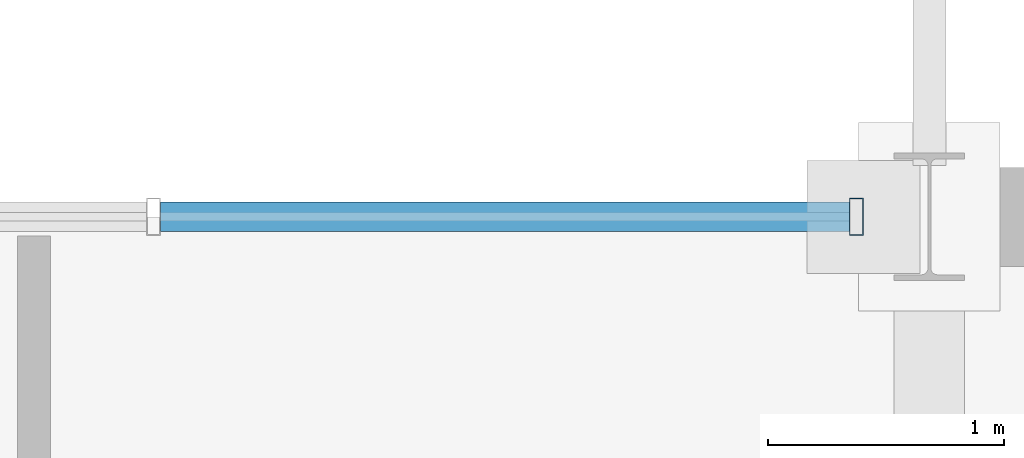
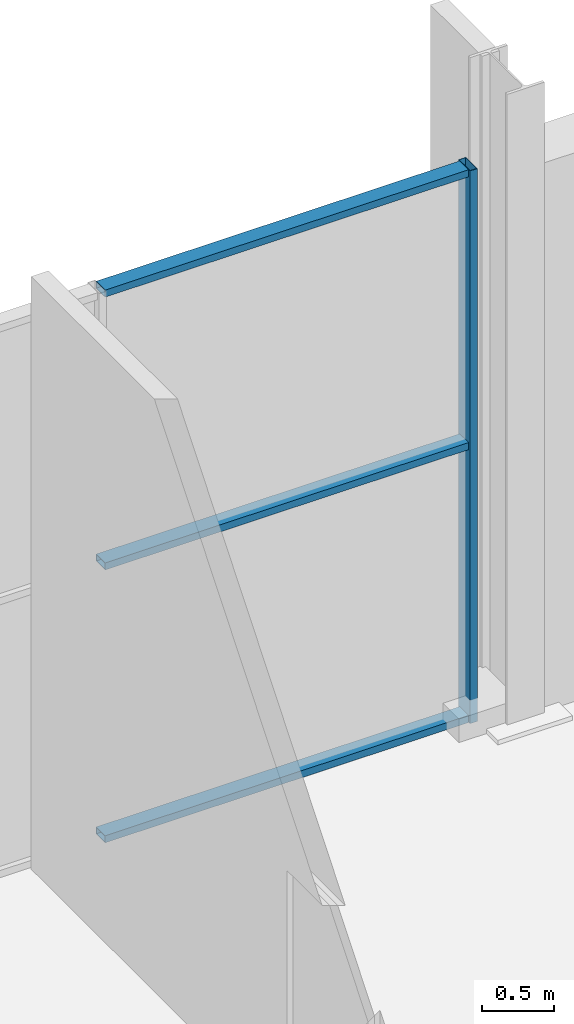
# One storey, part 113 of 196: 4 members, 1 element without a shape of its own.
"""IFC4 building model written with IfcOpenShell, lengths in metres."""

from ifc_helpers import new_model, si_unit, direction, frame, origin, origin_2d, place, context, subcontext, project, spatial, hollow_rectangle, extrude, material, material_profile, profile_set, type_object, element, aggregate, save


model = new_model("IFC4")

# Units and contexts
model_context = context("Model", 3, precision=1e-05, world=origin(), true_north=direction((0.0, 1.0)))
body_context = subcontext(model_context, "Body", "Model", "MODEL_VIEW")
ifc_project = project(units=[si_unit("LENGTHUNIT", "METRE"), si_unit("AREAUNIT", "SQUARE_METRE"), si_unit("VOLUMEUNIT", "CUBIC_METRE"), si_unit("PLANEANGLEUNIT", "RADIAN"), si_unit("MASSUNIT", "GRAM", prefix="KILO")], contexts=[model_context])

# Site, building, storey
site_placement = place(None, origin())
site = spatial("IfcSite", under=ifc_project, at=site_placement, CompositionType="ELEMENT")
building_placement = place(site_placement, origin())
building = spatial("IfcBuilding", under=site, at=building_placement, Name="Merenkruunu Market Hall", CompositionType="ELEMENT")
storey_placement = place(building_placement, origin())
storey = spatial("IfcBuildingStorey", under=building, at=storey_placement, Name="L00", CompositionType="ELEMENT", Elevation=0.0)

# Curtain wall, members
ifc_material = material(Name="Powder-coated aluminium", Category="aluminium")
curtain_wall_type = type_object("IfcCurtainWallType", Name="Glazed Curtain Wall CW01", PredefinedType="USERDEFINED", material=ifc_material)
curtain_wall_placement = place(storey_placement, origin())
curtain_wall = element("IfcCurtainWall", 1, at=curtain_wall_placement, inside=storey, type_object=curtain_wall_type, Name="CW-L00-CWM01-062", ObjectType="GLAZED_FACADE", PredefinedType="USERDEFINED")
ifc_material_profile_1 = material_profile(ifc_material, hollow_rectangle(XDim=0.06005859375, YDim=0.159912109375, WallThickness=0.00390625, at=origin_2d()), Name="ALU 60x160x4")
ifc_profile_set_1 = profile_set([ifc_material_profile_1], Name="Powder-coated aluminium")
member_type_1 = type_object("IfcMemberType", Name="Curtain Wall Mullion CWM01", PredefinedType="MULLION", material=ifc_profile_set_1)
member_1_placement = place(storey_placement, frame((47.68994140625, 111.60009765625, 0.0), z_axis=(0.0, 0.0, 1.0), x_axis=(1.0, 0.0, 0.0)))
member_1 = element("IfcMember", 2, at=member_1_placement, type_object=member_type_1, Name="CW01 mullion 4", PredefinedType="MULLION", context=body_context, shape_type="SweptSolid", body=[
    extrude(hollow_rectangle(XDim=0.06005859375, YDim=0.159912109375, WallThickness=0.00390625, at=origin_2d()), origin(), (0.0, 0.0, 1.0), 4.699951171875),
])
ifc_material_profile_2 = material_profile(ifc_material, hollow_rectangle(XDim=0.06005859375, YDim=0.125, WallThickness=0.00390625, at=origin_2d()), Name="ALU 60x125x4")
ifc_profile_set_2 = profile_set([ifc_material_profile_2], Name="Powder-coated aluminium")
member_type_2 = type_object("IfcMemberType", Name="Curtain Wall Transom CWT01", PredefinedType="USERDEFINED", material=ifc_profile_set_2)
member_2_placement = place(storey_placement, frame((44.736572265625, 111.60009765625, 0.030029296875), z_axis=(1.0, 0.0, 0.0), x_axis=(0.0, 0.0, 1.0)))
member_2 = element("IfcMember", 3, at=member_2_placement, type_object=member_type_2, Name="CW01 transom 3.1", ObjectType="TRANSOM", PredefinedType="USERDEFINED", context=body_context, shape_type="SweptSolid", body=[
    extrude(hollow_rectangle(XDim=0.06005859375, YDim=0.125, WallThickness=0.00390625, at=origin_2d()), origin(), (0.0, 0.0, 1.0), 2.92333984375),
])
member_3_placement = place(storey_placement, frame((44.736572265625, 111.60009765625, 2.35009765625), z_axis=(1.0, 0.0, 0.0), x_axis=(0.0, 0.0, 1.0)))
member_3 = element("IfcMember", 4, at=member_3_placement, type_object=member_type_2, Name="CW01 transom 3.2", ObjectType="TRANSOM", PredefinedType="USERDEFINED", context=body_context, shape_type="SweptSolid", body=[
    extrude(hollow_rectangle(XDim=0.06005859375, YDim=0.125, WallThickness=0.00390625, at=origin_2d()), origin(), (0.0, 0.0, 1.0), 2.92333984375),
])
member_4_placement = place(storey_placement, frame((44.736572265625, 111.60009765625, 4.669921875), z_axis=(1.0, 0.0, 0.0), x_axis=(0.0, 0.0, 1.0)))
member_4 = element("IfcMember", 5, at=member_4_placement, type_object=member_type_2, Name="CW01 transom 3.3", ObjectType="TRANSOM", PredefinedType="USERDEFINED", context=body_context, shape_type="SweptSolid", body=[
    extrude(hollow_rectangle(XDim=0.06005859375, YDim=0.125, WallThickness=0.00390625, at=origin_2d()), origin(), (0.0, 0.0, 1.0), 2.92333984375),
])
aggregate(curtain_wall, [member_1, member_2, member_3, member_4])

save(model, "model.ifc")
